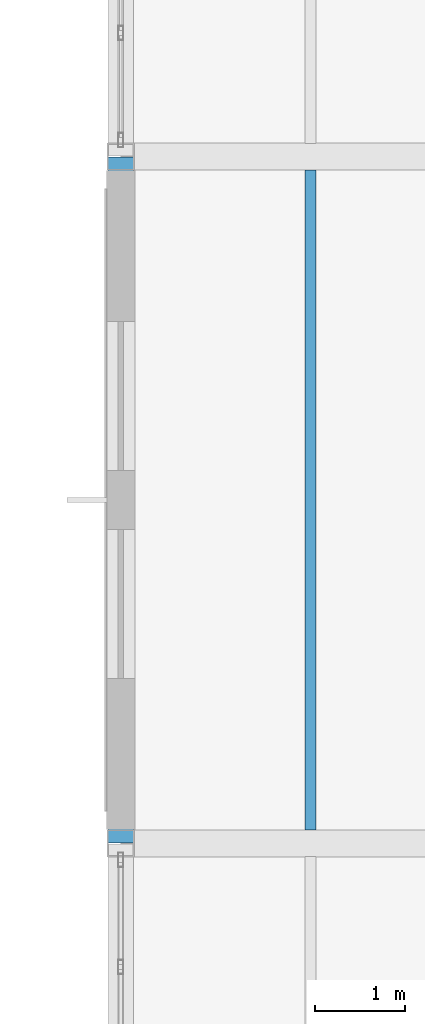
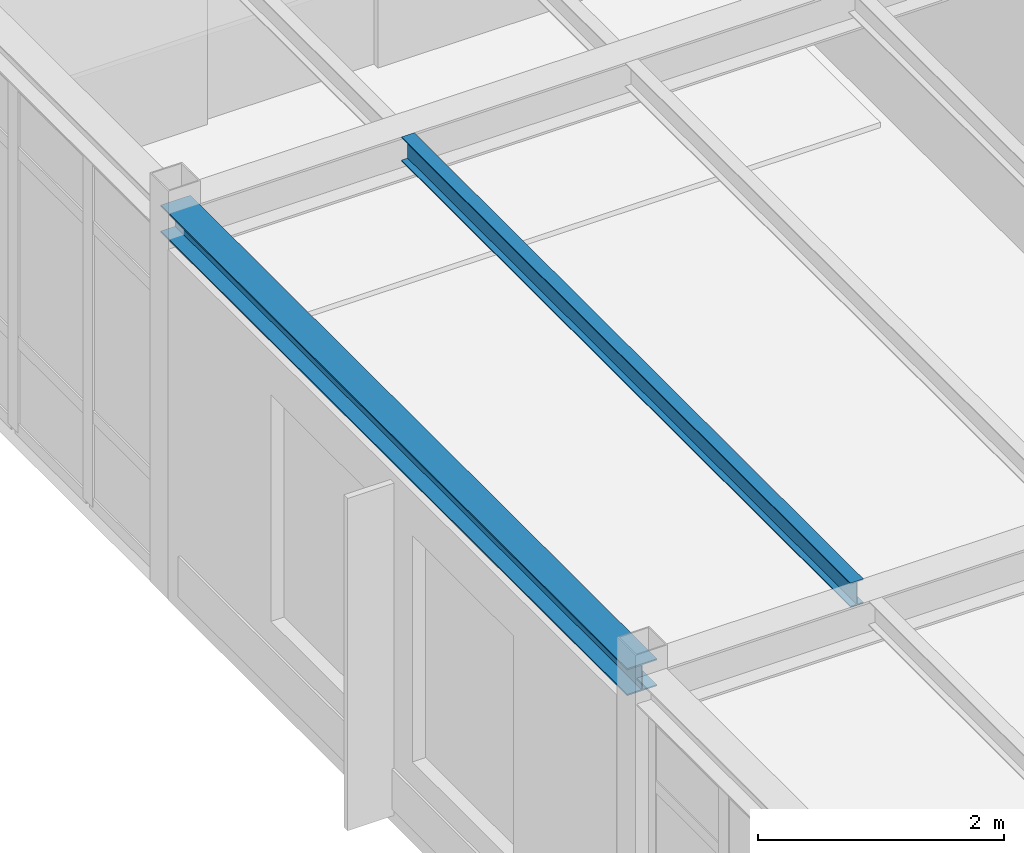
# One storey, part 74 of 165: 2 beams.
"""IFC4 building model written with IfcOpenShell, lengths in metres."""

from ifc_helpers import new_model, si_unit, direction, frame, origin, origin_2d, place, context, subcontext, project, spatial, i_section, extrude, material, material_profile, profile_set, type_object, element, save


model = new_model("IFC4")

# Units and contexts
model_context = context("Model", 3, precision=1e-05, world=origin(), true_north=direction((0.0, 1.0)))
body_context = subcontext(model_context, "Body", "Model", "MODEL_VIEW")
ifc_project = project(units=[si_unit("LENGTHUNIT", "METRE"), si_unit("AREAUNIT", "SQUARE_METRE"), si_unit("VOLUMEUNIT", "CUBIC_METRE"), si_unit("PLANEANGLEUNIT", "RADIAN"), si_unit("MASSUNIT", "GRAM", prefix="KILO")], contexts=[model_context])

# Site, building, storey
site_placement = place(None, origin())
site = spatial("IfcSite", under=ifc_project, at=site_placement, CompositionType="ELEMENT")
building_placement = place(site_placement, origin())
building = spatial("IfcBuilding", under=site, at=building_placement, Name="Montecoro Central Library", CompositionType="ELEMENT")
storey_placement = place(building_placement, frame((0.0, 0.0, 5.10009765625)))
storey = spatial("IfcBuildingStorey", under=building, at=storey_placement, Name="L01", CompositionType="ELEMENT", Elevation=5.10009765625)

# Beams
ifc_material = material(Name="Steel S355", Category="steel")
ifc_material_profile_1 = material_profile(ifc_material, i_section(OverallWidth=0.1201171875, OverallDepth=0.239990234375, WebThickness=0.006103515625, FlangeThickness=0.009765625, at=origin_2d()), Name="IPE 240")
ifc_profile_set_1 = profile_set([ifc_material_profile_1], Name="Steel S355")
beam_type_1 = type_object("IfcBeamType", Name="BM-J-IPE240", PredefinedType="JOIST", material=ifc_profile_set_1)
beam_1_placement = place(storey_placement, frame((68.5, 96.346923828125, 3.704833984375), z_axis=(0.0, 1.0, 0.0), x_axis=(-1.0, 0.0, 0.0)))
element("IfcBeam", 1, at=beam_1_placement, inside=storey, type_object=beam_type_1, Name="V2-L01-JS-910-NP-1", PredefinedType="JOIST", context=body_context, shape_type="SweptSolid", body=[
    extrude(i_section(OverallWidth=0.1201171875, OverallDepth=0.239990234375, WebThickness=0.006103515625, FlangeThickness=0.009765625, at=origin_2d()), origin(), (0.0, 0.0, 1.0), 7.30615234375),
])
ifc_material_profile_2 = material_profile(ifc_material, i_section(OverallWidth=0.280029296875, OverallDepth=0.27001953125, WebThickness=0.008056640625, FlangeThickness=0.012939453125, at=origin_2d()), Name="HEA 280")
ifc_profile_set_2 = profile_set([ifc_material_profile_2], Name="Steel S355")
beam_type_2 = type_object("IfcBeamType", Name="BM-SP-HEA280", PredefinedType="SPANDREL", material=ifc_profile_set_2)
beam_2_placement = place(storey_placement, frame((66.39990234375, 96.205078125, 3.68994140625), z_axis=(0.0, 1.0, 0.0), x_axis=(-1.0, 0.0, 0.0)))
element("IfcBeam", 2, at=beam_2_placement, inside=storey, type_object=beam_type_2, Name="V2-L01-BY-9-NP", PredefinedType="SPANDREL", context=body_context, shape_type="SweptSolid", body=[
    extrude(i_section(OverallWidth=0.280029296875, OverallDepth=0.27001953125, WebThickness=0.008056640625, FlangeThickness=0.012939453125, at=origin_2d()), origin(), (0.0, 0.0, 1.0), 7.58984375),
])

save(model, "model.ifc")
